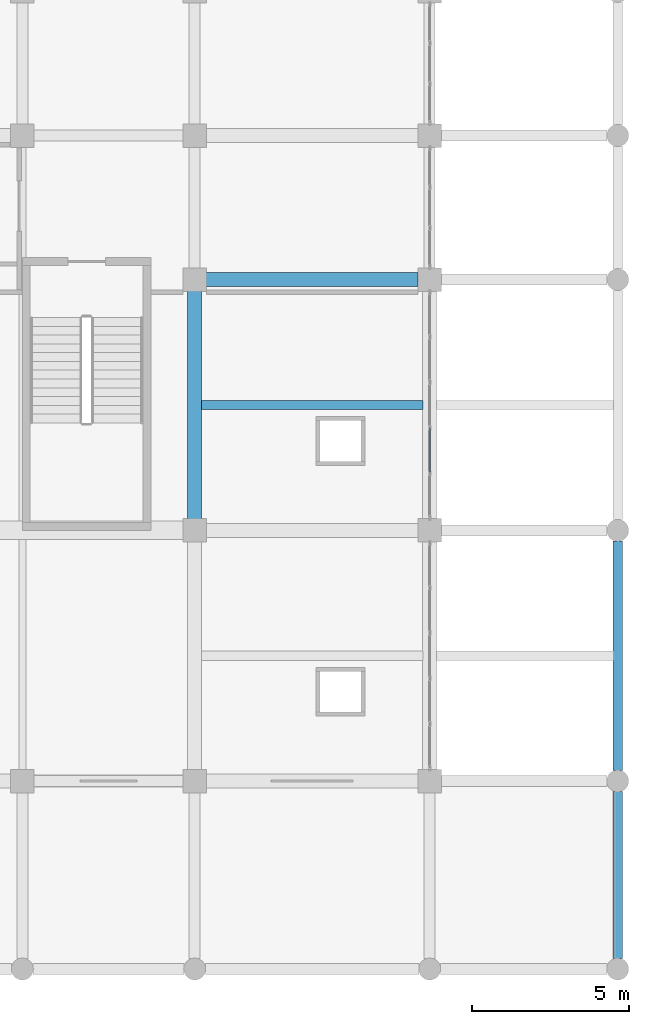
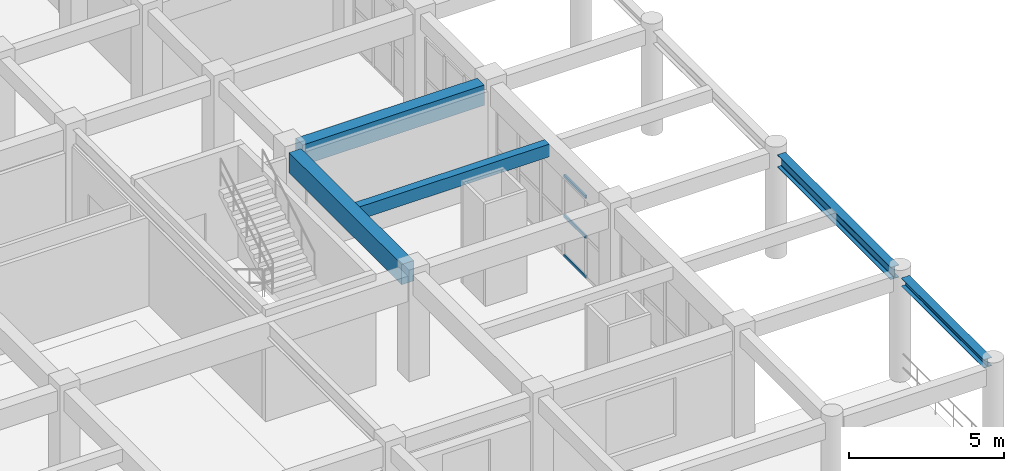
# One storey, part 58 of 116: 5 beams, 3 members, 1 element without a shape of its own.
"""IFC4 building model written with IfcOpenShell, lengths in metres."""

from ifc_helpers import new_model, si_unit, direction, frame, origin, origin_2d, place, context, subcontext, project, spatial, rectangle, hollow_rectangle, i_section, extrude, material, layer, layer_set, material_profile, profile_set, type_object, element, aggregate, save


model = new_model("IFC4")

# Units and contexts
model_context = context("Model", 3, precision=1e-05, world=origin(), true_north=direction((0.0, 1.0)))
body_context = subcontext(model_context, "Body", "Model", "MODEL_VIEW")
ifc_project = project(units=[si_unit("LENGTHUNIT", "METRE"), si_unit("AREAUNIT", "SQUARE_METRE"), si_unit("VOLUMEUNIT", "CUBIC_METRE"), si_unit("PLANEANGLEUNIT", "RADIAN"), si_unit("MASSUNIT", "GRAM", prefix="KILO")], contexts=[model_context])

# Site, building, storey
site_placement = place(None, origin())
site = spatial("IfcSite", under=ifc_project, at=site_placement, CompositionType="ELEMENT")
building_placement = place(site_placement, origin())
building = spatial("IfcBuilding", under=site, at=building_placement, Name="Muzn Square Opera House", CompositionType="ELEMENT")
storey_placement = place(building_placement, frame((0.0, 0.0, 5.39990234375)))
storey = spatial("IfcBuildingStorey", under=building, at=storey_placement, Name="L01", CompositionType="ELEMENT", Elevation=5.39990234375)

# Curtain wall, members
ifc_material_1 = material(Name="Low-E laminated acoustic double glazing", Category="glass")
ifc_layer = layer(ifc_material_1, 0.159912109375, Name="Low-E laminated acoustic double glazing", Category="glass")
ifc_layer_set = layer_set([ifc_layer], Name="Low-E laminated acoustic double glazing")
curtain_wall_type = type_object("IfcCurtainWallType", Name="Glazed Curtain Wall EastBlvd 7250x3200", PredefinedType="USERDEFINED", material=ifc_layer_set)
curtain_wall_placement = place(storey_placement, origin())
curtain_wall = element("IfcCurtainWall", 1, at=curtain_wall_placement, inside=storey, type_object=curtain_wall_type, Name="Glazed Curtain Wall CW-L01-113", ObjectType="GLAZED CURTAIN WALL", PredefinedType="USERDEFINED")
ifc_material_2 = material(Name="Anodised bronze aluminium 6063-T6", Category="metal")
ifc_material_profile_1 = material_profile(ifc_material_2, hollow_rectangle(XDim=0.06005859375, YDim=0.1201171875, WallThickness=0.00390625, at=origin_2d()), Name="ALU 120x60x4", Category="metal")
ifc_profile_set_1 = profile_set([ifc_material_profile_1], Name="Anodised bronze aluminium 6063-T6")
member_type = type_object("IfcMemberType", Name="Curtain Wall Transom 120x60", PredefinedType="USERDEFINED", material=ifc_profile_set_1)
member_1_placement = place(storey_placement, frame((170.0, 15.85498046875, 0.030029296875), z_axis=(0.0, 1.0, 0.0), x_axis=(-1.0, 0.0, 0.0)))
member_1 = element("IfcMember", 2, at=member_1_placement, type_object=member_type, Name="CW-EBL-72x32 transom 2.1", ObjectType="TRANSOM", PredefinedType="USERDEFINED", context=body_context, shape_type="SweptSolid", body=[
    extrude(hollow_rectangle(XDim=0.06005859375, YDim=0.1201171875, WallThickness=0.00390625, at=origin_2d()), origin(), (0.0, 0.0, 1.0), 1.39013671875),
])
member_2_placement = place(storey_placement, frame((170.0, 15.85498046875, 1.60009765625), z_axis=(0.0, 1.0, 0.0), x_axis=(-1.0, 0.0, 0.0)))
member_2 = element("IfcMember", 3, at=member_2_placement, type_object=member_type, Name="CW-EBL-72x32 transom 2.2", ObjectType="TRANSOM", PredefinedType="USERDEFINED", context=body_context, shape_type="SweptSolid", body=[
    extrude(hollow_rectangle(XDim=0.06005859375, YDim=0.1201171875, WallThickness=0.00390625, at=origin_2d()), origin(), (0.0, 0.0, 1.0), 1.39013671875),
])
member_3_placement = place(storey_placement, frame((170.0, 15.85498046875, 3.170166015625), z_axis=(0.0, 1.0, 0.0), x_axis=(-1.0, 0.0, 0.0)))
member_3 = element("IfcMember", 4, at=member_3_placement, type_object=member_type, Name="CW-EBL-72x32 transom 2.3", ObjectType="TRANSOM", PredefinedType="USERDEFINED", context=body_context, shape_type="SweptSolid", body=[
    extrude(hollow_rectangle(XDim=0.06005859375, YDim=0.1201171875, WallThickness=0.00390625, at=origin_2d()), origin(), (0.0, 0.0, 1.0), 1.39013671875),
])
aggregate(curtain_wall, [member_1, member_2, member_3])

# Beams
ifc_material_3 = material(Name="Concrete C40/50", Category="concrete")
ifc_material_profile_2 = material_profile(ifc_material_3, rectangle(XDim=0.300048828125, YDim=0.5, at=origin_2d()), Name="RCJ 300x500", Category="concrete")
ifc_profile_set_2 = profile_set([ifc_material_profile_2], Name="Concrete C40/50")
beam_type_1 = type_object("IfcBeamType", Name="Floor Joist 300x500", PredefinedType="JOIST", material=ifc_profile_set_2)
beam_1_placement = place(storey_placement, frame((162.717041015625, 18.0, 3.8701171875), z_axis=(1.0, 0.0, 0.0), x_axis=(0.0, 1.0, 0.0)))
element("IfcBeam", 5, at=beam_1_placement, inside=storey, type_object=beam_type_1, Name="Floor Joist BM-L01-BM-J500-1627_180_1698_180-1931", PredefinedType="JOIST", context=body_context, shape_type="SweptSolid", body=[
    extrude(rectangle(XDim=0.300048828125, YDim=0.5, at=origin_2d()), origin(), (0.0, 0.0, 1.0), 7.06591796875),
])
ifc_material_profile_3 = material_profile(ifc_material_3, rectangle(XDim=0.449951171875, YDim=0.800048828125, at=origin_2d()), Name="RCB 450x800", Category="concrete")
ifc_profile_set_3 = profile_set([ifc_material_profile_3], Name="Concrete C40/50")
beam_type_2 = type_object("IfcBeamType", Name="Primary Girder 450x800", PredefinedType="BEAM", material=ifc_profile_set_3)
beam_2_placement = place(storey_placement, frame((162.866943359375, 22.0, 3.72021484375), z_axis=(1.0, 0.0, 0.0), x_axis=(0.0, 1.0, 0.0)))
element("IfcBeam", 6, at=beam_2_placement, inside=storey, type_object=beam_type_2, Name="Primary Girder BM-L01-BM-PG800-1629_220_1696_220-1293", PredefinedType="BEAM", context=body_context, shape_type="SweptSolid", body=[
    extrude(rectangle(XDim=0.449951171875, YDim=0.800048828125, at=origin_2d()), origin(), (0.0, 0.0, 1.0), 6.76611328125),
])
beam_3_placement = place(storey_placement, frame((162.5, 14.366943359375, 3.72021484375), z_axis=(0.0, 1.0, 0.0), x_axis=(-1.0, 0.0, 0.0)))
element("IfcBeam", 7, at=beam_3_placement, inside=storey, type_object=beam_type_2, Name="Primary Girder BM-L01-BM-PG800-1625_144_1625_216-1752", PredefinedType="BEAM", context=body_context, shape_type="SweptSolid", body=[
    extrude(rectangle(XDim=0.449951171875, YDim=0.800048828125, at=origin_2d()), origin(), (0.0, 0.0, 1.0), 7.26611328125),
])
ifc_material_4 = material(Name="Steel S355", Category="steel")
ifc_material_profile_4 = material_profile(ifc_material_4, i_section(OverallWidth=0.300048828125, OverallDepth=0.330078125, WebThickness=0.009521484375, FlangeThickness=0.0166015625, FilletRadius=0.027099609375, at=origin_2d()), Name="HEA 340", Category="steel")
ifc_profile_set_4 = profile_set([ifc_material_profile_4], Name="Steel S355")
beam_type_3 = type_object("IfcBeamType", Name="Steel Spandrel Beam HEA340", PredefinedType="SPANDREL", material=ifc_profile_set_4)
beam_4_placement = place(storey_placement, frame((176.0, 0.342041015625, 3.955078125), z_axis=(0.0, 1.0, 0.0), x_axis=(-1.0, 0.0, 0.0)))
element("IfcBeam", 8, at=beam_4_placement, inside=storey, type_object=beam_type_3, Name="Spandrel Beam BM-L01-BM-SSP340-1760_3_1760_57-1782", PredefinedType="SPANDREL", context=body_context, shape_type="SweptSolid", body=[
    extrude(i_section(OverallWidth=0.300048828125, OverallDepth=0.330078125, WebThickness=0.009521484375, FlangeThickness=0.0166015625, FilletRadius=0.027099609375, at=origin_2d()), origin(), (0.0, 0.0, 1.0), 5.31591796875),
])
ifc_material_profile_5 = material_profile(ifc_material_4, i_section(OverallWidth=0.300048828125, OverallDepth=0.489990234375, WebThickness=0.011962890625, FlangeThickness=0.02294921875, FilletRadius=0.027099609375, at=origin_2d()), Name="HEA 500", Category="steel")
ifc_profile_set_5 = profile_set([ifc_material_profile_5], Name="Steel S355")
beam_type_4 = type_object("IfcBeamType", Name="Steel Spandrel Beam HEA500", PredefinedType="SPANDREL", material=ifc_profile_set_5)
beam_5_placement = place(storey_placement, frame((176.0, 6.342041015625, 3.875), z_axis=(0.0, 1.0, 0.0), x_axis=(-1.0, 0.0, 0.0)))
element("IfcBeam", 9, at=beam_5_placement, inside=storey, type_object=beam_type_4, Name="Spandrel Beam BM-L01-BM-SSP500-1760_63_1760_137-1783", PredefinedType="SPANDREL", context=body_context, shape_type="SweptSolid", body=[
    extrude(i_section(OverallWidth=0.300048828125, OverallDepth=0.489990234375, WebThickness=0.011962890625, FlangeThickness=0.02294921875, FilletRadius=0.027099609375, at=origin_2d()), origin(), (0.0, 0.0, 1.0), 7.31591796875),
])

save(model, "model.ifc")
